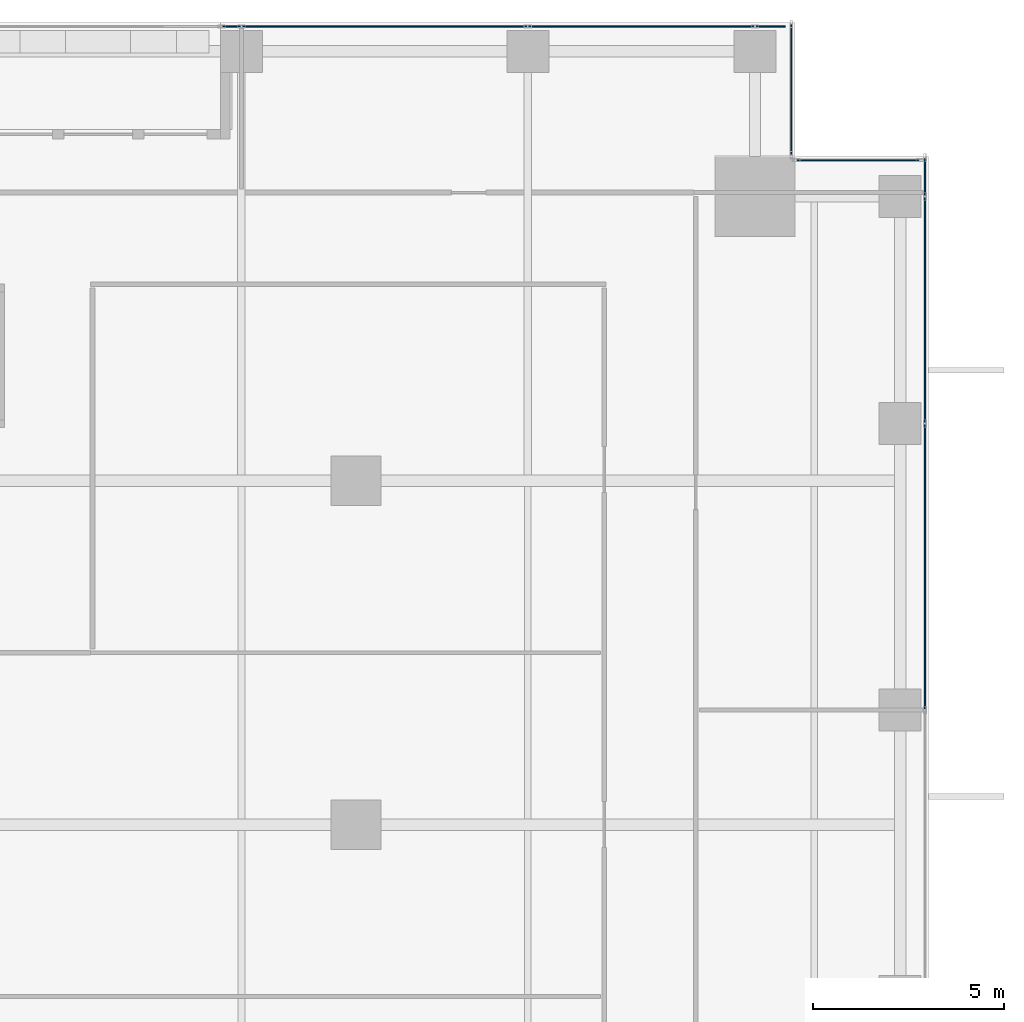
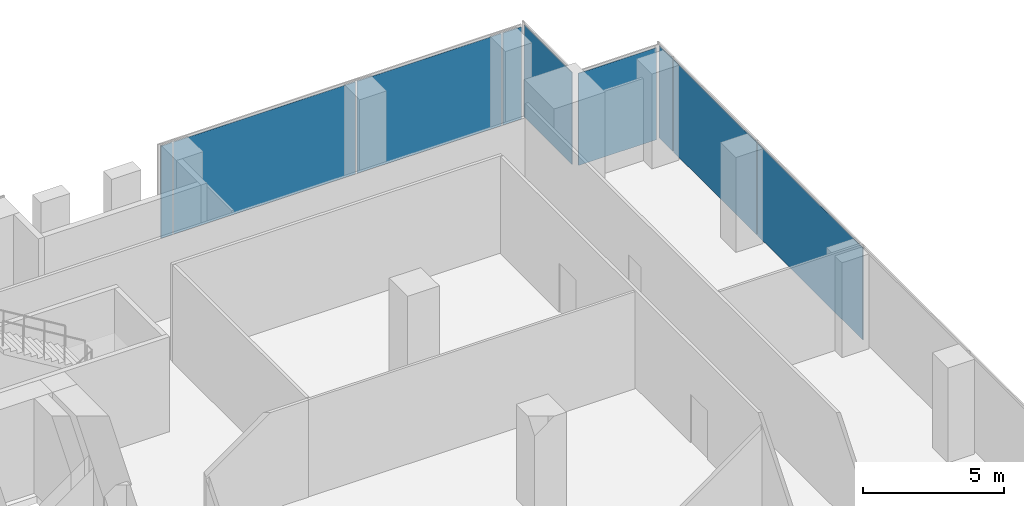
# One storey, part 27 of 34: 9 plates, 4 elements without a shape of their own.
"""IFC4 building model written with IfcOpenShell, lengths in metres."""

from ifc_helpers import new_model, si_unit, direction, frame, origin, origin_2d, place, context, subcontext, project, spatial, rectangle, extrude, source, transform, mapped, material, layer, layer_set, type_object, element, aggregate, save


model = new_model("IFC4")

# Units and contexts
model_context = context("Model", 3, precision=1e-05, world=origin(), true_north=direction((0.0, 1.0)))
body_context = subcontext(model_context, "Body", "Model", "MODEL_VIEW")
ifc_project = project(units=[si_unit("LENGTHUNIT", "METRE"), si_unit("AREAUNIT", "SQUARE_METRE"), si_unit("VOLUMEUNIT", "CUBIC_METRE"), si_unit("PLANEANGLEUNIT", "RADIAN"), si_unit("MASSUNIT", "GRAM", prefix="KILO")], contexts=[model_context])

# Site, building, storey
site_placement = place(None, origin())
site = spatial("IfcSite", under=ifc_project, at=site_placement, CompositionType="ELEMENT")
building_placement = place(site_placement, origin())
building = spatial("IfcBuilding", under=site, at=building_placement, Name="Khomas Fold Tower", CompositionType="ELEMENT")
storey_placement = place(building_placement, frame((0.0, 0.0, 123.5)))
storey = spatial("IfcBuildingStorey", under=building, at=storey_placement, Name="L26", CompositionType="ELEMENT", Elevation=123.5)

# Curtain wall, plate
ifc_material_1 = material(Name="Aluminium framed double glazing", Category="aluminium")
curtain_wall_type = type_object("IfcCurtainWallType", Name="SK-Unitised clear-glass wall, growing floors CW1", PredefinedType="NOTDEFINED", material=ifc_material_1)
curtain_wall_1_placement = place(storey_placement, origin())
curtain_wall_1 = element("IfcCurtainWall", 1, at=curtain_wall_1_placement, inside=storey, type_object=curtain_wall_type, Name="CW1 run L26 06-0", PredefinedType="NOTDEFINED")
ifc_material_2 = material(Name="Clear double glazed unit")
ifc_layer = layer(ifc_material_2, 0.031982421875)
ifc_layer_set = layer_set([ifc_layer], Name="Clear double glazed unit")
plate_type = type_object("IfcPlateType", Name="SK-Unitised clear-glass wall, growing floors glass panel CW1-P", PredefinedType="CURTAIN_PANEL", material=ifc_layer_set)
shared_shape_1 = source(origin(), body_context, "Body", "SweptSolid", [
    extrude(rectangle(XDim=0.760009765625, YDim=0.031982421875, at=origin_2d()), origin(), (0.0, 0.0, 1.0), 3.97998046875),
])
plate_1_placement = place(storey_placement, frame((48.360107421875, 52.39990234375, 0.0), z_axis=(0.0, 0.0, 1.0), x_axis=(-1.0, 0.0, 0.0)))
plate_1 = element("IfcPlate", 2, at=plate_1_placement, type_object=plate_type, Name="CW1 glass panel 1", PredefinedType="CURTAIN_PANEL", context=body_context, shape_type="MappedRepresentation", body=[
    mapped(shared_shape_1, transform((0.0, 0.0, 0.0))),
])

curtain_wall_2_placement = place(storey_placement, origin())
curtain_wall_2 = element("IfcCurtainWall", 3, at=curtain_wall_2_placement, inside=storey, type_object=curtain_wall_type, Name="CW1 run L26 03-0", PredefinedType="NOTDEFINED")
shared_shape_2 = source(origin(), body_context, "Body", "SweptSolid", [
    extrude(rectangle(XDim=5.889892578125, YDim=0.031982421875, at=origin_2d()), origin(), (0.0, 0.0, 1.0), 3.97998046875),
])
plate_2_placement = place(storey_placement, frame((52.39990234375, 44.97509765625, 0.0), z_axis=(0.0, 0.0, 1.0), x_axis=(0.0, 1.0, 0.0)))
plate_2 = element("IfcPlate", 4, at=plate_2_placement, type_object=plate_type, Name="CW1 glass panel 7", PredefinedType="CURTAIN_PANEL", context=body_context, shape_type="MappedRepresentation", body=[
    mapped(shared_shape_2, transform((0.0, 0.0, 0.0))),
])

# Plate
plate_3_placement = place(storey_placement, frame((44.97509765625, 52.39990234375, 0.0), z_axis=(0.0, 0.0, 1.0), x_axis=(-1.0, 0.0, 0.0)))
plate_3 = element("IfcPlate", 5, at=plate_3_placement, type_object=plate_type, Name="CW1 glass panel 2", PredefinedType="CURTAIN_PANEL", context=body_context, shape_type="MappedRepresentation", body=[
    mapped(shared_shape_2, transform((0.0, 0.0, 0.0))),
])

shared_shape_3 = source(origin(), body_context, "Body", "SweptSolid", [
    extrude(rectangle(XDim=7.43994140625, YDim=0.031982421875, at=origin_2d()), origin(), (0.0, 0.0, 1.0), 3.97998046875),
])
plate_4_placement = place(storey_placement, frame((52.39990234375, 38.25, 0.0), z_axis=(0.0, 0.0, 1.0), x_axis=(0.0, 1.0, 0.0)))
plate_4 = element("IfcPlate", 6, at=plate_4_placement, type_object=plate_type, Name="CW1 glass panel 6", PredefinedType="CURTAIN_PANEL", context=body_context, shape_type="MappedRepresentation", body=[
    mapped(shared_shape_3, transform((0.0, 0.0, 0.0))),
])

plate_5_placement = place(storey_placement, frame((38.25, 52.39990234375, 0.0), z_axis=(0.0, 0.0, 1.0), x_axis=(-1.0, 0.0, 0.0)))
plate_5 = element("IfcPlate", 7, at=plate_5_placement, type_object=plate_type, Name="CW1 glass panel 3", PredefinedType="CURTAIN_PANEL", context=body_context, shape_type="MappedRepresentation", body=[
    mapped(shared_shape_3, transform((0.0, 0.0, 0.0))),
])

shared_shape_4 = source(origin(), body_context, "Body", "SweptSolid", [
    extrude(rectangle(XDim=0.9599609375, YDim=0.031982421875, at=origin_2d()), origin(), (0.0, 0.0, 1.0), 3.97998046875),
])
plate_6_placement = place(storey_placement, frame((52.39990234375, 48.4599609375, 0.0), z_axis=(0.0, 0.0, 1.0), x_axis=(0.0, 1.0, 0.0)))
plate_6 = element("IfcPlate", 8, at=plate_6_placement, type_object=plate_type, Name="CW1 glass panel 8", PredefinedType="CURTAIN_PANEL", context=body_context, shape_type="MappedRepresentation", body=[
    mapped(shared_shape_4, transform((0.0, 0.0, 0.0))),
])

aggregate(curtain_wall_2, [plate_4, plate_2, plate_6])

# Curtain wall, plate
curtain_wall_3_placement = place(storey_placement, origin())
curtain_wall_3 = element("IfcCurtainWall", 9, at=curtain_wall_3_placement, inside=storey, type_object=curtain_wall_type, Name="CW1 corner return L26 04", PredefinedType="NOTDEFINED")
shared_shape_5 = source(origin(), body_context, "Body", "SweptSolid", [
    extrude(rectangle(XDim=3.179931640625, YDim=0.031982421875, at=origin_2d()), origin(), (0.0, 0.0, 1.0), 3.97998046875),
])
plate_7_placement = place(storey_placement, frame((50.64990234375, 48.89990234375, 0.0), z_axis=(0.0, 0.0, 1.0), x_axis=(-1.0, 0.0, 0.0)))
plate_7 = element("IfcPlate", 10, at=plate_7_placement, type_object=plate_type, Name="CW1 glass panel 1", PredefinedType="CURTAIN_PANEL", context=body_context, shape_type="MappedRepresentation", body=[
    mapped(shared_shape_5, transform((0.0, 0.0, 0.0))),
])
aggregate(curtain_wall_3, [plate_7])

curtain_wall_4_placement = place(storey_placement, origin())
curtain_wall_4 = element("IfcCurtainWall", 11, at=curtain_wall_4_placement, inside=storey, type_object=curtain_wall_type, Name="CW1 corner return L26 05", PredefinedType="NOTDEFINED")
shared_shape_6 = source(origin(), body_context, "Body", "SweptSolid", [
    extrude(rectangle(XDim=3.3798828125, YDim=0.031982421875, at=origin_2d()), origin(), (0.0, 0.0, 1.0), 3.97998046875),
])
plate_8_placement = place(storey_placement, frame((48.89990234375, 50.75, 0.0), z_axis=(0.0, 0.0, 1.0), x_axis=(0.0, 1.0, 0.0)))
plate_8 = element("IfcPlate", 12, at=plate_8_placement, type_object=plate_type, Name="CW1 glass panel 1", PredefinedType="CURTAIN_PANEL", context=body_context, shape_type="MappedRepresentation", body=[
    mapped(shared_shape_6, transform((0.0, 0.0, 0.0))),
])
aggregate(curtain_wall_4, [plate_8])

# Plate
shared_shape_7 = source(origin(), body_context, "Body", "SweptSolid", [
    extrude(rectangle(XDim=0.4599609375, YDim=0.031982421875, at=origin_2d()), origin(), (0.0, 0.0, 1.0), 3.97998046875),
])
plate_9_placement = place(storey_placement, frame((34.239990234375, 52.39990234375, 0.0), z_axis=(0.0, 0.0, 1.0), x_axis=(-1.0, 0.0, 0.0)))
plate_9 = element("IfcPlate", 13, at=plate_9_placement, type_object=plate_type, Name="CW1 glass panel 4", PredefinedType="CURTAIN_PANEL", context=body_context, shape_type="MappedRepresentation", body=[
    mapped(shared_shape_7, transform((0.0, 0.0, 0.0))),
])

aggregate(curtain_wall_1, [plate_1, plate_3, plate_5, plate_9])

save(model, "model.ifc")
